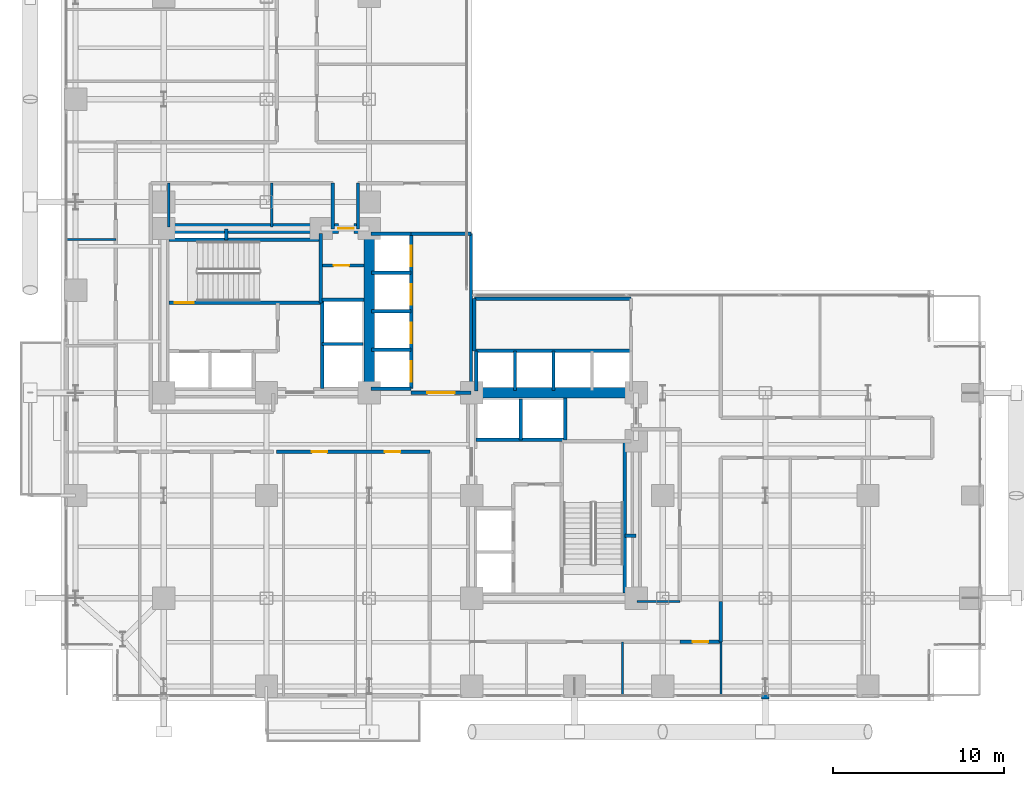
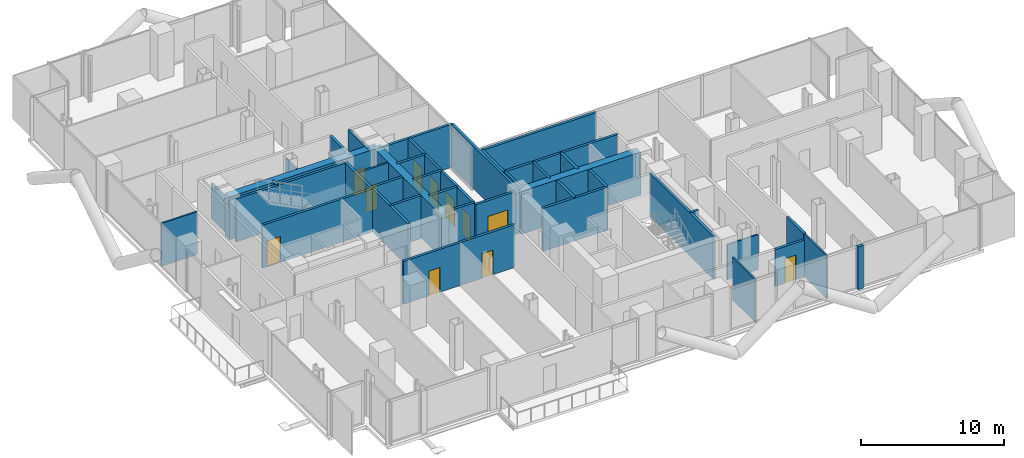
# One storey, part 21 of 25: 43 walls, 11 doors, 11 openings.
"""IFC4 building model written with IfcOpenShell, lengths in metres."""

from ifc_helpers import new_model, si_unit, direction, frame, frame_2d, origin, place, context, subcontext, project, spatial, rectangle, extrude, material, layer, layer_set, type_object, element, fill, save


model = new_model("IFC4")

# Units and contexts
model_context = context("Model", 3, precision=1e-05, world=origin(), true_north=direction((0.0, 1.0)))
body_context = subcontext(model_context, "Body", "Model", "MODEL_VIEW")
ifc_project = project(units=[si_unit("LENGTHUNIT", "METRE"), si_unit("AREAUNIT", "SQUARE_METRE"), si_unit("VOLUMEUNIT", "CUBIC_METRE"), si_unit("PLANEANGLEUNIT", "RADIAN"), si_unit("MASSUNIT", "GRAM", prefix="KILO"), si_unit("THERMODYNAMICTEMPERATUREUNIT", "KELVIN"), si_unit("POWERUNIT", "WATT")], contexts=[model_context])

# Site, building, storey
site_placement = place(None, origin())
site = spatial("IfcSite", under=ifc_project, at=site_placement, CompositionType="ELEMENT")
building_placement = place(site_placement, origin())
building = spatial("IfcBuilding", under=site, at=building_placement, Name="Svarakhadi Broadcast Tower", CompositionType="ELEMENT")
storey_placement = place(building_placement, frame((0.0, 0.0, 48.0)))
storey = spatial("IfcBuildingStorey", under=building, at=storey_placement, Name="L10", CompositionType="ELEMENT", Elevation=48.0)

# Wall
ifc_material_1 = material(Name="Double-Stud Acoustic Studio Partition STC-62", Category="gypsum")
ifc_layer_1 = layer(ifc_material_1, 0.199951171875)
ifc_layer_set_1 = layer_set([ifc_layer_1], Name="Double-Stud Acoustic Studio Partition STC-62")
wall_type_1 = type_object("IfcWallType", Name="Wall_Acoust_200", PredefinedType="PARTITIONING", material=ifc_layer_set_1)
wall_1_placement = place(storey_placement, frame((38.550048828125, 5.800048828125, 0.0), z_axis=(0.0, 0.0, 1.0), x_axis=(0.0, -1.0, 0.0)))
element("IfcWall", 1, at=wall_1_placement, inside=storey, type_object=wall_type_1, Name="L10 Broadcast Corridor Wall", PredefinedType="PARTITIONING", context=body_context, shape_type="SweptSolid", body=[
    extrude(rectangle(XDim=2.35009765625, YDim=0.199951171875, at=frame_2d((1.175048828125, 0.0))), origin(), (0.0, 0.0, 1.0), 3.64990234375),
])

# Wall, opening, door
wall_2_placement = place(storey_placement, frame((38.550048828125, 3.449951171875, 0.0), z_axis=(0.0, 0.0, 1.0), x_axis=(-1.0, 0.0, 0.0)))
wall_2 = element("IfcWall", 2, at=wall_2_placement, inside=storey, type_object=wall_type_1, Name="L10 Broadcast Corridor Wall", PredefinedType="PARTITIONING", context=body_context, shape_type="SweptSolid", body=[
    extrude(rectangle(XDim=2.400146484375, YDim=0.199951171875, at=frame_2d((1.2001953125, 0.0))), origin(), (0.0, 0.0, 1.0), 3.14208984375),
])
opening_1_placement = place(wall_2_placement, frame((0.75, 0.0, 0.0)))
opening_1 = element("IfcOpeningElement", 3, at=opening_1_placement, cuts=wall_2, Name="Opening D-14", PredefinedType="OPENING", context=body_context, shape_type="SweptSolid", body=[
    extrude(rectangle(XDim=0.89990234375, YDim=2.10009765625, at=frame_2d((0.449951171875, 1.050048828125))), frame((0.0, 0.10986328125, 0.0), z_axis=(0.0, -1.0, 0.0), x_axis=(1.0, 0.0, 0.0)), (0.0, 0.0, 1.0), 0.219970703125),
])
ifc_material_2 = material(Name="Solid-Core Teak Veneer Acoustic Timber Leaf", Category="wood")
door_type_1 = type_object("IfcDoorType", Name="Door_Int_D14", OperationType="SINGLE_SWING_LEFT", PredefinedType="DOOR", material=ifc_material_2)
door_1_placement = place(opening_1_placement, origin())
door_1 = element("IfcDoor", 4, at=door_1_placement, inside=storey, type_object=door_type_1, Name="L10 Broadcast Staff Refreshment Pantry Door", OperationType="SINGLE_SWING_LEFT", OverallHeight=2.10009765625, OverallWidth=0.89990234375, PredefinedType="DOOR", context=body_context, shape_type="SweptSolid", body=[
    extrude(rectangle(XDim=0.89990234375, YDim=2.10009765625, at=frame_2d((0.449951171875, 1.050048828125))), frame((0.0, 0.02490234375, 0.0), z_axis=(0.0, -1.0, 0.0), x_axis=(1.0, 0.0, 0.0)), (0.0, 0.0, 1.0), 0.050048828125),
])
fill(opening_1, door_1)

# Wall, openings, doors
wall_3_placement = place(storey_placement, frame((21.550048828125, 14.550048828125, 0.0), z_axis=(0.0, 0.0, 1.0), x_axis=(-1.0, 0.0, 0.0)))
wall_3 = element("IfcWall", 5, at=wall_3_placement, inside=storey, type_object=wall_type_1, Name="L10 Broadcast Corridor Wall", PredefinedType="PARTITIONING", context=body_context, shape_type="SweptSolid", body=[
    extrude(rectangle(XDim=8.949951171875, YDim=0.199951171875, at=frame_2d((4.47509765625, 0.0))), origin(), (0.0, 0.0, 1.0), 3.64990234375),
])
opening_2_placement = place(wall_3_placement, frame((6.0, 0.0, 0.0)))
opening_2 = element("IfcOpeningElement", 6, at=opening_2_placement, cuts=wall_3, Name="Opening D-15", PredefinedType="OPENING", context=body_context, shape_type="SweptSolid", body=[
    extrude(rectangle(XDim=0.89990234375, YDim=2.10009765625, at=frame_2d((0.449951171875, 1.050048828125))), frame((0.0, 0.10986328125, 0.0), z_axis=(0.0, -1.0, 0.0), x_axis=(1.0, 0.0, 0.0)), (0.0, 0.0, 1.0), 0.219970703125),
])
opening_3_placement = place(wall_3_placement, frame((1.72509765625, 0.0, 0.0)))
opening_3 = element("IfcOpeningElement", 7, at=opening_3_placement, cuts=wall_3, Name="Opening D-14", PredefinedType="OPENING", context=body_context, shape_type="SweptSolid", body=[
    extrude(rectangle(XDim=0.89990234375, YDim=2.10009765625, at=frame_2d((0.449951171875, 1.050048828125))), frame((0.0, 0.10986328125, 0.0), z_axis=(0.0, -1.0, 0.0), x_axis=(1.0, 0.0, 0.0)), (0.0, 0.0, 1.0), 0.219970703125),
])
door_2_placement = place(opening_3_placement, origin())
door_2 = element("IfcDoor", 8, at=door_2_placement, inside=storey, type_object=door_type_1, Name="L10 Voice Recording Room Door", OperationType="SINGLE_SWING_LEFT", OverallHeight=2.10009765625, OverallWidth=0.89990234375, PredefinedType="DOOR", context=body_context, shape_type="SweptSolid", body=[
    extrude(rectangle(XDim=0.89990234375, YDim=2.10009765625, at=frame_2d((0.449951171875, 1.050048828125))), frame((0.0, 0.02490234375, 0.0), z_axis=(0.0, -1.0, 0.0), x_axis=(1.0, 0.0, 0.0)), (0.0, 0.0, 1.0), 0.050048828125),
])
fill(opening_3, door_2)
door_type_2 = type_object("IfcDoorType", Name="Door_Int_D15", OperationType="SINGLE_SWING_RIGHT", PredefinedType="DOOR", material=ifc_material_2)
door_3_placement = place(opening_2_placement, origin())
door_3 = element("IfcDoor", 9, at=door_3_placement, inside=storey, type_object=door_type_2, Name="L10 VFX Grading Pod Door", OperationType="SINGLE_SWING_RIGHT", OverallHeight=2.10009765625, OverallWidth=0.89990234375, PredefinedType="DOOR", context=body_context, shape_type="SweptSolid", body=[
    extrude(rectangle(XDim=0.89990234375, YDim=2.10009765625, at=frame_2d((0.449951171875, 1.050048828125))), frame((0.0, 0.02490234375, 0.0), z_axis=(0.0, -1.0, 0.0), x_axis=(1.0, 0.0, 0.0)), (0.0, 0.0, 1.0), 0.050048828125),
])
fill(opening_2, door_3)

# Walls
for number, where, z_axis, x_axis, name in (
    (10, (17.35009765625, 30.25, 0.0), (0.0, 0.0, 1.0), (0.0, -1.0, 0.0), "L10 Broadcast Corridor Wall"),
    (11, (15.8798828125, 27.580078125, 0.0), (0.0, 0.0, 1.0), (0.0, 1.0, 0.0), "L10 Broadcast Corridor Wall"),
):
    element("IfcWall", number, at=place(storey_placement, frame(where, z_axis=z_axis, x_axis=x_axis)), inside=storey, type_object=wall_type_1, Name=name, PredefinedType="PARTITIONING", context=body_context, shape_type="SweptSolid", body=[
        extrude(rectangle(XDim=2.669921875, YDim=0.199951171875, at=frame_2d((1.3349609375, 0.0))), origin(), (0.0, 0.0, 1.0), 3.64990234375),
    ])
ifc_material_3 = material(Name="Concrete C40/50 (IS 456 M50)", Category="concrete")
ifc_layer_2 = layer(ifc_material_3, 0.239990234375)
ifc_layer_set_2 = layer_set([ifc_layer_2], Name="Concrete C40/50 (IS 456 M50)")
wall_type_2 = type_object("IfcWallType", Name="Wall_Ext_240", PredefinedType="SOLIDWALL", material=ifc_layer_set_2)
wall_4_placement = place(storey_placement, frame((41.364990234375, 0.239990234375, 0.0), z_axis=(0.0, 0.0, 1.0), x_axis=(-1.0, 0.0, 0.0)))
element("IfcWall", 12, at=wall_4_placement, inside=storey, type_object=wall_type_2, Name="L10 Perimeter Bronze Spandrel Closure Wall 05", PredefinedType="SOLIDWALL", context=body_context, shape_type="SweptSolid", body=[
    extrude(rectangle(XDim=0.429931640625, YDim=0.239990234375, at=frame_2d((0.21484375, 0.0))), origin(), (0.0, 0.0, 1.0), 3.64990234375),
])
ifc_layer_3 = layer(ifc_material_3, 0.199951171875)
ifc_layer_set_3 = layer_set([ifc_layer_3], Name="Concrete C40/50 (IS 456 M50)")
wall_type_3 = type_object("IfcWallType", Name="Wall_Fire_200", PredefinedType="SOLIDWALL", material=ifc_layer_set_3)
for number, where, z_axis, x_axis, name in (
    (13, (9.659912109375, 26.93994140625, 0.0), (0.0, 0.0, 1.0), (0.0, 1.0, 0.0), "L10 Wet Riser Shaft East Wall"),
    (14, (32.93994140625, 9.659912109375, 0.0), (0.0, 0.0, 1.0), (1.0, 0.0, 0.0), "L10 HV Busduct Riser Shaft North Wall"),
):
    element("IfcWall", number, at=place(storey_placement, frame(where, z_axis=z_axis, x_axis=x_axis)), inside=storey, type_object=wall_type_3, Name=name, PredefinedType="SOLIDWALL", context=body_context, shape_type="SweptSolid", body=[
        extrude(rectangle(XDim=0.64013671875, YDim=0.199951171875, at=frame_2d((0.320068359375, 0.0))), origin(), (0.0, 0.0, 1.0), 3.64990234375),
    ])
ifc_material_4 = material(Name="Fire-Rated Moisture-Resistant Gypsum Board Partition", Category="gypsum")
ifc_layer_4 = layer(ifc_material_4, 0.125)
ifc_layer_set_4 = layer_set([ifc_layer_4], Name="Fire-Rated Moisture-Resistant Gypsum Board Partition")
wall_type_4 = type_object("IfcWallType", Name="Wall_Part_125", PredefinedType="PARTITIONING", material=ifc_layer_set_4)
wall_5_placement = place(storey_placement, frame((0.300048828125, 26.949951171875, 0.0), z_axis=(0.0, 0.0, 1.0), x_axis=(1.0, 0.0, 0.0)))
element("IfcWall", 15, at=wall_5_placement, inside=storey, type_object=wall_type_4, Name="L10 Live Translation Studio Wall", PredefinedType="PARTITIONING", context=body_context, shape_type="SweptSolid", body=[
    extrude(rectangle(XDim=2.89990234375, YDim=0.125, at=frame_2d((1.449951171875, 0.0))), origin(), (0.0, 0.0, 1.0), 3.64990234375),
])
for number, where, z_axis, x_axis, name in (
    (16, (32.800048828125, 0.300048828125, 0.0), (0.0, 0.0, 1.0), (0.0, 1.0, 0.0), "L10 Media Legal Review Office Wall"),
    (17, (38.550048828125, 0.300048828125, 0.0), (0.0, 0.0, 1.0), (0.0, 1.0, 0.0), "L10 Broadcast Staff Refreshment Pantry Wall"),
):
    element("IfcWall", number, at=place(storey_placement, frame(where, z_axis=z_axis, x_axis=x_axis)), inside=storey, type_object=wall_type_4, Name=name, PredefinedType="PARTITIONING", context=body_context, shape_type="SweptSolid", body=[
        extrude(rectangle(XDim=3.14990234375, YDim=0.125, at=frame_2d((1.574951171875, 0.0))), origin(), (0.0, 0.0, 1.0), 3.64990234375),
    ])
wall_6_placement = place(storey_placement, frame((33.64990234375, 5.800048828125, 0.0), z_axis=(0.0, 0.0, 1.0), x_axis=(1.0, 0.0, 0.0)))
element("IfcWall", 18, at=wall_6_placement, inside=storey, type_object=wall_type_4, Name="L10 Live Feed Monitoring Studio Wall", PredefinedType="PARTITIONING", context=body_context, shape_type="SweptSolid", body=[
    extrude(rectangle(XDim=2.5, YDim=0.125, at=frame_2d((1.25, 0.0))), origin(), (0.0, 0.0, 1.0), 2.991943359375),
])

# Wall, opening, door
ifc_material_5 = material(Name="Autoclaved Aerated Concrete Blockwork 150 mm", Category="masonry")
ifc_layer_5 = layer(ifc_material_5, 0.14990234375)
ifc_layer_set_5 = layer_set([ifc_layer_5], Name="Autoclaved Aerated Concrete Blockwork 150 mm")
wall_type_5 = type_object("IfcWallType", Name="Wall_Part_150", PredefinedType="PARTITIONING", material=ifc_layer_set_5)
wall_7_placement = place(storey_placement, frame((15.280029296875, 25.43994140625, 0.0), z_axis=(0.0, 0.0, 1.0), x_axis=(1.0, 0.0, 0.0)))
wall_7 = element("IfcWall", 19, at=wall_7_placement, inside=storey, type_object=wall_type_5, Name="L10 West Core Service Split Wall", PredefinedType="PARTITIONING", context=body_context, shape_type="SweptSolid", body=[
    extrude(rectangle(XDim=2.419921875, YDim=0.14990234375, at=frame_2d((1.2099609375, 0.0))), origin(), (0.0, 0.0, 1.0), 3.64990234375),
])
opening_4_placement = place(wall_7_placement, frame((0.64990234375, 0.0, 0.0)))
opening_4 = element("IfcOpeningElement", 20, at=opening_4_placement, cuts=wall_7, Name="Opening D-04", PredefinedType="OPENING", context=body_context, shape_type="SweptSolid", body=[
    extrude(rectangle(XDim=0.89990234375, YDim=2.14990234375, at=frame_2d((0.449951171875, 1.074951171875))), frame((0.0, 0.0849609375, 0.0), z_axis=(0.0, -1.0, 0.0), x_axis=(1.0, 0.0, 0.0)), (0.0, 0.0, 1.0), 0.169921875),
])
ifc_material_6 = material(Name="Galvanised Powder-Coated Fire-Rated Steel Leaf", Category="steel")
door_type_3 = type_object("IfcDoorType", Name="Door_Fire_D04", OperationType="SINGLE_SWING_RIGHT", PredefinedType="DOOR", material=ifc_material_6)
door_4_placement = place(opening_4_placement, origin())
door_4 = element("IfcDoor", 21, at=door_4_placement, inside=storey, type_object=door_type_3, Name="L10 West Core Inner Store Door", OperationType="SINGLE_SWING_RIGHT", OverallHeight=2.14990234375, OverallWidth=0.89990234375, PredefinedType="DOOR", context=body_context, shape_type="SweptSolid", body=[
    extrude(rectangle(XDim=0.89990234375, YDim=2.14990234375, at=frame_2d((0.449951171875, 1.074951171875))), frame((0.0, 0.02490234375, 0.0), z_axis=(0.0, -1.0, 0.0), x_axis=(1.0, 0.0, 0.0)), (0.0, 0.0, 1.0), 0.050048828125),
])
fill(opening_4, door_4)

# Walls
for number, where, z_axis, x_axis, name in (
    (22, (6.300048828125, 27.679931640625, 0.0), (0.0, 0.0, 1.0), (0.0, 1.0, 0.0), "L10 Accessible Toilet WC Wall"),
    (23, (12.300048828125, 27.679931640625, 0.0), (0.0, 0.0, 1.0), (0.0, 1.0, 0.0), "L10 Accessible Toilet WC Wall"),
):
    element("IfcWall", number, at=place(storey_placement, frame(where, z_axis=z_axis, x_axis=x_axis)), inside=storey, type_object=wall_type_5, Name=name, PredefinedType="PARTITIONING", context=body_context, shape_type="SweptSolid", body=[
        extrude(rectangle(XDim=2.570068359375, YDim=0.14990234375, at=frame_2d((1.28515625, 0.0))), origin(), (0.0, 0.0, 1.0), 2.991943359375),
    ])

# Wall, opening, door
ifc_material_7 = material(Name="Concrete C50/60 (IS 456 M60)", Category="concrete")
ifc_layer_6 = layer(ifc_material_7, 0.199951171875)
ifc_layer_set_6 = layer_set([ifc_layer_6], Name="Concrete C50/60 (IS 456 M60)")
wall_type_6 = type_object("IfcWallType", Name="Wall_Shear_200", PredefinedType="SHEAR", material=ifc_layer_set_6)
wall_8_placement = place(storey_placement, frame((6.300048828125, 23.260009765625, 0.0), z_axis=(0.0, 0.0, 1.0), x_axis=(1.0, 0.0, 0.0)))
wall_8 = element("IfcWall", 24, at=wall_8_placement, inside=storey, type_object=wall_type_6, Name="L10 Stair ST-01 South RC Shaft Wall", PredefinedType="SHEAR", context=body_context, shape_type="SweptSolid", body=[
    extrude(rectangle(XDim=8.8798828125, YDim=0.199951171875, at=frame_2d((4.43994140625, 0.0))), origin(), (0.0, 0.0, 1.0), 3.64990234375),
])
opening_5_placement = place(wall_8_placement, frame((0.35009765625, 0.0, 0.0)))
opening_5 = element("IfcOpeningElement", 25, at=opening_5_placement, cuts=wall_8, Name="Opening D-01", PredefinedType="OPENING", context=body_context, shape_type="SweptSolid", body=[
    extrude(rectangle(XDim=1.10009765625, YDim=2.199951171875, at=frame_2d((0.550048828125, 1.10009765625))), frame((0.0, 0.10986328125, 0.0), z_axis=(0.0, -1.0, 0.0), x_axis=(1.0, 0.0, 0.0)), (0.0, 0.0, 1.0), 0.219970703125),
])
door_type_4 = type_object("IfcDoorType", Name="Door_Stair_D01", OperationType="SINGLE_SWING_LEFT", PredefinedType="DOOR", material=ifc_material_6)
door_5_placement = place(opening_5_placement, origin())
door_5 = element("IfcDoor", 26, at=door_5_placement, inside=storey, type_object=door_type_4, Name="L10 Protected Exit Stair ST-01 Fire Door", OperationType="SINGLE_SWING_LEFT", OverallHeight=2.199951171875, OverallWidth=1.10009765625, PredefinedType="DOOR", context=body_context, shape_type="SweptSolid", body=[
    extrude(rectangle(XDim=1.10009765625, YDim=2.199951171875, at=frame_2d((0.550048828125, 1.10009765625))), frame((0.0, 0.02490234375, 0.0), z_axis=(0.0, -1.0, 0.0), x_axis=(1.0, 0.0, 0.0)), (0.0, 0.0, 1.0), 0.050048828125),
])
fill(opening_5, door_5)

# Walls
wall_9_placement = place(storey_placement, frame((6.300048828125, 26.93994140625, 0.0), z_axis=(0.0, 0.0, 1.0), x_axis=(1.0, 0.0, 0.0)))
element("IfcWall", 27, at=wall_9_placement, inside=storey, type_object=wall_type_6, Name="L10 Stair ST-01 North RC Shaft Wall", PredefinedType="SHEAR", context=body_context, shape_type="SweptSolid", body=[
    extrude(rectangle(XDim=8.8798828125, YDim=0.199951171875, at=frame_2d((4.43994140625, 0.0))), origin(), (0.0, 0.0, 1.0), 3.64990234375),
])
wall_10_placement = place(storey_placement, frame((15.179931640625, 23.260009765625, 0.0), z_axis=(0.0, 0.0, 1.0), x_axis=(0.0, 1.0, 0.0)))
element("IfcWall", 28, at=wall_10_placement, inside=storey, type_object=wall_type_6, Name="L10 Stair ST-01 East RC Shaft Wall", PredefinedType="SHEAR", context=body_context, shape_type="SweptSolid", body=[
    extrude(rectangle(XDim=4.0400390625, YDim=0.199951171875, at=frame_2d((2.02001953125, 0.0))), origin(), (0.0, 0.0, 1.0), 3.64990234375),
])
wall_11_placement = place(storey_placement, frame((32.93994140625, 6.300048828125, 0.0), z_axis=(0.0, 0.0, 1.0), x_axis=(0.0, 1.0, 0.0)))
element("IfcWall", 29, at=wall_11_placement, inside=storey, type_object=wall_type_6, Name="L10 Stair ST-02 East RC Shaft Wall", PredefinedType="SHEAR", context=body_context, shape_type="SweptSolid", body=[
    extrude(rectangle(XDim=8.8798828125, YDim=0.199951171875, at=frame_2d((4.43994140625, 0.0))), origin(), (0.0, 0.0, 1.0), 3.64990234375),
])
wall_12_placement = place(storey_placement, frame((15.25, 18.25, 0.0), z_axis=(0.0, 0.0, 1.0), x_axis=(0.0, 1.0, 0.0)))
element("IfcWall", 30, at=wall_12_placement, inside=storey, type_object=wall_type_6, Name="L10 High-Rise Lift LF-13/14 West Shaft Wall", PredefinedType="SHEAR", context=body_context, shape_type="SweptSolid", body=[
    extrude(rectangle(XDim=5.199951171875, YDim=0.199951171875, at=frame_2d((2.60009765625, 0.0))), origin(), (0.0, 0.0, 1.0), 3.64990234375),
])
wall_13_placement = place(storey_placement, frame((15.25, 20.85009765625, 0.0), z_axis=(0.0, 0.0, 1.0), x_axis=(1.0, 0.0, 0.0)))
element("IfcWall", 31, at=wall_13_placement, inside=storey, type_object=wall_type_6, Name="L10 High-Rise Lift LF-13/14 Divider", PredefinedType="SHEAR", context=body_context, shape_type="SweptSolid", body=[
    extrude(rectangle(XDim=2.39990234375, YDim=0.199951171875, at=frame_2d((1.199951171875, 0.0))), origin(), (0.0, 0.0, 1.0), 3.64990234375),
])
wall_14_placement = place(storey_placement, frame((15.25, 23.449951171875, 0.0), z_axis=(0.0, 0.0, 1.0), x_axis=(1.0, 0.0, 0.0)))
element("IfcWall", 32, at=wall_14_placement, inside=storey, type_object=wall_type_6, Name="L10 High-Rise Lift LF-13/14 North Wall", PredefinedType="SHEAR", context=body_context, shape_type="SweptSolid", body=[
    extrude(rectangle(XDim=2.449951171875, YDim=0.199951171875, at=frame_2d((1.22509765625, 0.0))), origin(), (0.0, 0.0, 1.0), 3.64990234375),
])
wall_15_placement = place(storey_placement, frame((24.25, 15.25, 0.0), z_axis=(0.0, 0.0, 1.0), x_axis=(1.0, 0.0, 0.0)))
element("IfcWall", 33, at=wall_15_placement, inside=storey, type_object=wall_type_6, Name="L10 High-Rise Lift LF-15/16 South Shaft Wall", PredefinedType="SHEAR", context=body_context, shape_type="SweptSolid", body=[
    extrude(rectangle(XDim=5.199951171875, YDim=0.199951171875, at=frame_2d((2.60009765625, 0.0))), origin(), (0.0, 0.0, 1.0), 3.64990234375),
])
wall_16_placement = place(storey_placement, frame((26.85009765625, 15.25, 0.0), z_axis=(0.0, 0.0, 1.0), x_axis=(0.0, 1.0, 0.0)))
element("IfcWall", 34, at=wall_16_placement, inside=storey, type_object=wall_type_6, Name="L10 High-Rise Lift LF-15/16 Divider", PredefinedType="SHEAR", context=body_context, shape_type="SweptSolid", body=[
    extrude(rectangle(XDim=2.39990234375, YDim=0.199951171875, at=frame_2d((1.199951171875, 0.0))), origin(), (0.0, 0.0, 1.0), 3.64990234375),
])
wall_17_placement = place(storey_placement, frame((29.449951171875, 15.25, 0.0), z_axis=(0.0, 0.0, 1.0), x_axis=(0.0, 1.0, 0.0)))
element("IfcWall", 35, at=wall_17_placement, inside=storey, type_object=wall_type_6, Name="L10 High-Rise Lift LF-15/16 East Wall", PredefinedType="SHEAR", context=body_context, shape_type="SweptSolid", body=[
    extrude(rectangle(XDim=2.449951171875, YDim=0.199951171875, at=frame_2d((1.22509765625, 0.0))), origin(), (0.0, 0.0, 1.0), 3.64990234375),
])
for number, where, z_axis, x_axis, name in (
    (36, (18.10009765625, 27.300048828125, 0.0), (0.0, 0.0, 1.0), (1.0, 0.0, 0.0), "L10 Bank A North Shaft Wall"),
    (37, (18.10009765625, 18.25, 0.0), (0.0, 0.0, 1.0), (1.0, 0.0, 0.0), "L10 Bank A South Shaft Wall"),
):
    element("IfcWall", number, at=place(storey_placement, frame(where, z_axis=z_axis, x_axis=x_axis)), inside=storey, type_object=wall_type_6, Name=name, PredefinedType="SHEAR", context=body_context, shape_type="SweptSolid", body=[
        extrude(rectangle(XDim=2.349853515625, YDim=0.199951171875, at=frame_2d((1.1748046875, 0.0))), origin(), (0.0, 0.0, 1.0), 3.64990234375),
    ])

# Wall, openings, doors
wall_18_placement = place(storey_placement, frame((20.449951171875, 18.25, 0.0), z_axis=(0.0, 0.0, 1.0), x_axis=(0.0, 1.0, 0.0)))
wall_18 = element("IfcWall", 38, at=wall_18_placement, inside=storey, type_object=wall_type_6, Name="L10 Bank A East Landing Wall", PredefinedType="SHEAR", context=body_context, shape_type="SweptSolid", body=[
    extrude(rectangle(XDim=9.050048828125, YDim=0.199951171875, at=frame_2d((4.52490234375, 0.0))), origin(), (0.0, 0.0, 1.0), 3.64990234375),
])
opening_6_placement = place(wall_18_placement, frame((0.39990234375, 0.0, 0.0)))
opening_6 = element("IfcOpeningElement", 39, at=opening_6_placement, cuts=wall_18, Name="Opening LD-02", PredefinedType="OPENING", context=body_context, shape_type="SweptSolid", body=[
    extrude(rectangle(XDim=1.199951171875, YDim=2.199951171875, at=frame_2d((0.60009765625, 1.10009765625))), frame((0.0, 0.10986328125, 0.0), z_axis=(0.0, -1.0, 0.0), x_axis=(1.0, 0.0, 0.0)), (0.0, 0.0, 1.0), 0.219970703125),
])
opening_7_placement = place(wall_18_placement, frame((2.64990234375, 0.0, 0.0)))
opening_7 = element("IfcOpeningElement", 40, at=opening_7_placement, cuts=wall_18, Name="Opening LD-02", PredefinedType="OPENING", context=body_context, shape_type="SweptSolid", body=[
    extrude(rectangle(XDim=1.199951171875, YDim=2.199951171875, at=frame_2d((0.60009765625, 1.10009765625))), frame((0.0, 0.10986328125, 0.0), z_axis=(0.0, -1.0, 0.0), x_axis=(1.0, 0.0, 0.0)), (0.0, 0.0, 1.0), 0.219970703125),
])
opening_8_placement = place(wall_18_placement, frame((4.89990234375, 0.0, 0.0)))
opening_8 = element("IfcOpeningElement", 41, at=opening_8_placement, cuts=wall_18, Name="Opening LD-02", PredefinedType="OPENING", context=body_context, shape_type="SweptSolid", body=[
    extrude(rectangle(XDim=1.199951171875, YDim=2.199951171875, at=frame_2d((0.60009765625, 1.10009765625))), frame((0.0, 0.10986328125, 0.0), z_axis=(0.0, -1.0, 0.0), x_axis=(1.0, 0.0, 0.0)), (0.0, 0.0, 1.0), 0.219970703125),
])
opening_9_placement = place(wall_18_placement, frame((7.14990234375, 0.0, 0.0)))
opening_9 = element("IfcOpeningElement", 42, at=opening_9_placement, cuts=wall_18, Name="Opening LD-02", PredefinedType="OPENING", context=body_context, shape_type="SweptSolid", body=[
    extrude(rectangle(XDim=1.199951171875, YDim=2.199951171875, at=frame_2d((0.60009765625, 1.10009765625))), frame((0.0, 0.10986328125, 0.0), z_axis=(0.0, -1.0, 0.0), x_axis=(1.0, 0.0, 0.0)), (0.0, 0.0, 1.0), 0.219970703125),
])
door_type_5 = type_object("IfcDoorType", Name="Door_Lift_LD02", OperationType="SLIDING_TO_RIGHT", PredefinedType="DOOR", material=ifc_material_6)
door_6_placement = place(opening_6_placement, origin())
door_6 = element("IfcDoor", 43, at=door_6_placement, inside=storey, type_object=door_type_5, Name="L10 Low-Rise Lift LF-05 Landing Door", OperationType="SLIDING_TO_RIGHT", OverallHeight=2.199951171875, OverallWidth=1.199951171875, PredefinedType="DOOR", context=body_context, shape_type="SweptSolid", body=[
    extrude(rectangle(XDim=1.199951171875, YDim=2.199951171875, at=frame_2d((0.60009765625, 1.10009765625))), frame((0.0, 0.02490234375, 0.0), z_axis=(0.0, -1.0, 0.0), x_axis=(1.0, 0.0, 0.0)), (0.0, 0.0, 1.0), 0.050048828125),
])
fill(opening_6, door_6)
door_7_placement = place(opening_7_placement, origin())
door_7 = element("IfcDoor", 44, at=door_7_placement, inside=storey, type_object=door_type_5, Name="L10 Low-Rise Lift LF-06 Landing Door", OperationType="SLIDING_TO_RIGHT", OverallHeight=2.199951171875, OverallWidth=1.199951171875, PredefinedType="DOOR", context=body_context, shape_type="SweptSolid", body=[
    extrude(rectangle(XDim=1.199951171875, YDim=2.199951171875, at=frame_2d((0.60009765625, 1.10009765625))), frame((0.0, 0.02490234375, 0.0), z_axis=(0.0, -1.0, 0.0), x_axis=(1.0, 0.0, 0.0)), (0.0, 0.0, 1.0), 0.050048828125),
])
fill(opening_7, door_7)
door_8_placement = place(opening_8_placement, origin())
door_8 = element("IfcDoor", 45, at=door_8_placement, inside=storey, type_object=door_type_5, Name="L10 Low-Rise Lift LF-07 Landing Door", OperationType="SLIDING_TO_RIGHT", OverallHeight=2.199951171875, OverallWidth=1.199951171875, PredefinedType="DOOR", context=body_context, shape_type="SweptSolid", body=[
    extrude(rectangle(XDim=1.199951171875, YDim=2.199951171875, at=frame_2d((0.60009765625, 1.10009765625))), frame((0.0, 0.02490234375, 0.0), z_axis=(0.0, -1.0, 0.0), x_axis=(1.0, 0.0, 0.0)), (0.0, 0.0, 1.0), 0.050048828125),
])
fill(opening_8, door_8)
door_9_placement = place(opening_9_placement, origin())
door_9 = element("IfcDoor", 46, at=door_9_placement, inside=storey, type_object=door_type_5, Name="L10 Low-Rise Lift LF-08 Landing Door", OperationType="SLIDING_TO_RIGHT", OverallHeight=2.199951171875, OverallWidth=1.199951171875, PredefinedType="DOOR", context=body_context, shape_type="SweptSolid", body=[
    extrude(rectangle(XDim=1.199951171875, YDim=2.199951171875, at=frame_2d((0.60009765625, 1.10009765625))), frame((0.0, 0.02490234375, 0.0), z_axis=(0.0, -1.0, 0.0), x_axis=(1.0, 0.0, 0.0)), (0.0, 0.0, 1.0), 0.050048828125),
])
fill(opening_9, door_9)

# Walls
for number, where, z_axis, x_axis, name in (
    (47, (18.14990234375, 20.52001953125, 0.0), (0.0, 0.0, 1.0), (1.0, 0.0, 0.0), "L10 Bank A Divider"),
    (48, (18.14990234375, 22.77001953125, 0.0), (0.0, 0.0, 1.0), (1.0, 0.0, 0.0), "L10 Bank A Divider"),
    (49, (18.14990234375, 25.02001953125, 0.0), (0.0, 0.0, 1.0), (1.0, 0.0, 0.0), "L10 Bank A Divider"),
):
    element("IfcWall", number, at=place(storey_placement, frame(where, z_axis=z_axis, x_axis=x_axis)), inside=storey, type_object=wall_type_6, Name=name, PredefinedType="SHEAR", context=body_context, shape_type="SweptSolid", body=[
        extrude(rectangle(XDim=2.300048828125, YDim=0.199951171875, at=frame_2d((1.14990234375, 0.0))), origin(), (0.0, 0.0, 1.0), 3.64990234375),
    ])

# Wall, opening, door
wall_19_placement = place(storey_placement, frame((20.449951171875, 18.0, 0.0), z_axis=(0.0, 0.0, 1.0), x_axis=(1.0, 0.0, 0.0)))
wall_19 = element("IfcWall", 50, at=wall_19_placement, inside=storey, type_object=wall_type_6, Name="L10 Bank A Lift Hall South Wall", PredefinedType="SHEAR", context=body_context, shape_type="SweptSolid", body=[
    extrude(rectangle(XDim=3.5, YDim=0.199951171875, at=frame_2d((1.75, 0.0))), origin(), (0.0, 0.0, 1.0), 3.64990234375),
])
opening_10_placement = place(wall_19_placement, frame((0.949951171875, 0.0, 0.0)))
opening_10 = element("IfcOpeningElement", 51, at=opening_10_placement, cuts=wall_19, Name="Opening D-05", PredefinedType="OPENING", context=body_context, shape_type="SweptSolid", body=[
    extrude(rectangle(XDim=1.60009765625, YDim=2.300048828125, at=frame_2d((0.800048828125, 1.14990234375))), frame((0.0, 0.10986328125, 0.0), z_axis=(0.0, -1.0, 0.0), x_axis=(1.0, 0.0, 0.0)), (0.0, 0.0, 1.0), 0.219970703125),
])
ifc_material_8 = material(Name="Anodised Bronze Aluminium AA 6063-T6", Category="aluminium")
door_type_6 = type_object("IfcDoorType", Name="Door_Lobby_D05", OperationType="DOUBLE_DOOR_SLIDING", PredefinedType="DOOR", material=ifc_material_8)
door_10_placement = place(opening_10_placement, origin())
door_10 = element("IfcDoor", 52, at=door_10_placement, inside=storey, type_object=door_type_6, Name="L10 Low-Rise Lift Hall Corridor Door", OperationType="DOUBLE_DOOR_SLIDING", OverallHeight=2.300048828125, OverallWidth=1.60009765625, PredefinedType="DOOR", context=body_context, shape_type="SweptSolid", body=[
    extrude(rectangle(XDim=1.60009765625, YDim=2.300048828125, at=frame_2d((0.800048828125, 1.14990234375))), frame((0.0, 0.02490234375, 0.0), z_axis=(0.0, -1.0, 0.0), x_axis=(1.0, 0.0, 0.0)), (0.0, 0.0, 1.0), 0.050048828125),
])
fill(opening_10, door_10)

# Walls
wall_20_placement = place(storey_placement, frame((20.449951171875, 27.300048828125, 0.0), z_axis=(0.0, 0.0, 1.0), x_axis=(1.0, 0.0, 0.0)))
element("IfcWall", 53, at=wall_20_placement, inside=storey, type_object=wall_type_6, Name="L10 Bank A Lift Hall North Wall", PredefinedType="SHEAR", context=body_context, shape_type="SweptSolid", body=[
    extrude(rectangle(XDim=3.5, YDim=0.199951171875, at=frame_2d((1.75, 0.0))), origin(), (0.0, 0.0, 1.0), 3.64990234375),
])
wall_21_placement = place(storey_placement, frame((23.949951171875, 18.0, 0.0), z_axis=(0.0, 0.0, 1.0), x_axis=(0.0, 1.0, 0.0)))
element("IfcWall", 54, at=wall_21_placement, inside=storey, type_object=wall_type_6, Name="L10 Bank A Lift Hall East Wall", PredefinedType="SHEAR", context=body_context, shape_type="SweptSolid", body=[
    extrude(rectangle(XDim=9.300048828125, YDim=0.199951171875, at=frame_2d((4.64990234375, 0.0))), origin(), (0.0, 0.0, 1.0), 3.64990234375),
])
wall_22_placement = place(storey_placement, frame((24.25, 18.10009765625, 0.0), z_axis=(0.0, 0.0, 1.0), x_axis=(0.0, 1.0, 0.0)))
element("IfcWall", 55, at=wall_22_placement, inside=storey, type_object=wall_type_6, Name="L10 Bank B West Shaft Wall", PredefinedType="SHEAR", context=body_context, shape_type="SweptSolid", body=[
    extrude(rectangle(XDim=2.349853515625, YDim=0.199951171875, at=frame_2d((1.1748046875, 0.0))), origin(), (0.0, 0.0, 1.0), 3.64990234375),
])
wall_23_placement = place(storey_placement, frame((24.25, 20.449951171875, 0.0), z_axis=(0.0, 0.0, 1.0), x_axis=(1.0, 0.0, 0.0)))
element("IfcWall", 56, at=wall_23_placement, inside=storey, type_object=wall_type_6, Name="L10 Bank B North Landing Wall", PredefinedType="SHEAR", context=body_context, shape_type="SweptSolid", body=[
    extrude(rectangle(XDim=9.050048828125, YDim=0.199951171875, at=frame_2d((4.52490234375, 0.0))), origin(), (0.0, 0.0, 1.0), 3.64990234375),
])
for number, where, z_axis, x_axis, name in (
    (57, (26.52001953125, 18.14990234375, 0.0), (0.0, 0.0, 1.0), (0.0, 1.0, 0.0), "L10 Bank B Divider"),
    (58, (28.77001953125, 18.14990234375, 0.0), (0.0, 0.0, 1.0), (0.0, 1.0, 0.0), "L10 Bank B Divider"),
):
    element("IfcWall", number, at=place(storey_placement, frame(where, z_axis=z_axis, x_axis=x_axis)), inside=storey, type_object=wall_type_6, Name=name, PredefinedType="SHEAR", context=body_context, shape_type="SweptSolid", body=[
        extrude(rectangle(XDim=2.300048828125, YDim=0.199951171875, at=frame_2d((1.14990234375, 0.0))), origin(), (0.0, 0.0, 1.0), 3.64990234375),
    ])
wall_24_placement = place(storey_placement, frame((24.14990234375, 23.5, 0.0), z_axis=(0.0, 0.0, 1.0), x_axis=(1.0, 0.0, 0.0)))
element("IfcWall", 59, at=wall_24_placement, inside=storey, type_object=wall_type_6, Name="L10 Bank B Lift Hall North Wall", PredefinedType="SHEAR", context=body_context, shape_type="SweptSolid", body=[
    extrude(rectangle(XDim=9.150146484375, YDim=0.199951171875, at=frame_2d((4.5751953125, 0.0))), origin(), (0.0, 0.0, 1.0), 3.64990234375),
])
wall_25_placement = place(storey_placement, frame((24.14990234375, 20.449951171875, 0.0), z_axis=(0.0, 0.0, 1.0), x_axis=(0.0, 1.0, 0.0)))
element("IfcWall", 60, at=wall_25_placement, inside=storey, type_object=wall_type_6, Name="L10 Bank B Lift Hall West Wall", PredefinedType="SHEAR", context=body_context, shape_type="SweptSolid", body=[
    extrude(rectangle(XDim=3.050048828125, YDim=0.199951171875, at=frame_2d((1.52490234375, 0.0))), origin(), (0.0, 0.0, 1.0), 3.64990234375),
])

# Wall, opening, door
ifc_material_9 = material(Name="Concrete C60/75 (IS 456 M70)", Category="concrete")
ifc_layer_7 = layer(ifc_material_9, 0.60009765625)
ifc_layer_set_7 = layer_set([ifc_layer_7], Name="Concrete C60/75 (IS 456 M70)")
wall_type_7 = type_object("IfcWallType", Name="Wall_Shear_600", PredefinedType="SHEAR", material=ifc_layer_set_7)
wall_26_placement = place(storey_placement, frame((6.0, 27.60009765625, 0.0), z_axis=(0.0, 0.0, 1.0), x_axis=(1.0, 0.0, 0.0)))
wall_26 = element("IfcWall", 61, at=wall_26_placement, inside=storey, type_object=wall_type_7, Name="L10 West Core North Shear Wall", PredefinedType="SHEAR", context=body_context, shape_type="SweptSolid", body=[
    extrude(rectangle(XDim=12.0, YDim=0.60009765625, at=frame_2d((6.0, 0.0))), origin(), (0.0, 0.0, 1.0), 3.64990234375),
])
opening_11_placement = place(wall_26_placement, frame((10.199951171875, 0.0, 0.0)))
opening_11 = element("IfcOpeningElement", 62, at=opening_11_placement, cuts=wall_26, Name="Opening D-03", PredefinedType="OPENING", context=body_context, shape_type="SweptSolid", body=[
    extrude(rectangle(XDim=0.89990234375, YDim=2.14990234375, at=frame_2d((0.449951171875, 1.074951171875))), frame((0.0, 0.31005859375, 0.0), z_axis=(0.0, -1.0, 0.0), x_axis=(1.0, 0.0, 0.0)), (0.0, 0.0, 1.0), 0.6201171875),
])
door_type_7 = type_object("IfcDoorType", Name="Door_Fire_D03", OperationType="SINGLE_SWING_LEFT", PredefinedType="DOOR", material=ifc_material_6)
door_11_placement = place(opening_11_placement, origin())
door_11 = element("IfcDoor", 63, at=door_11_placement, inside=storey, type_object=door_type_7, Name="L10 West Core Outer Store Door", OperationType="SINGLE_SWING_LEFT", OverallHeight=2.14990234375, OverallWidth=0.89990234375, PredefinedType="DOOR", context=body_context, shape_type="SweptSolid", body=[
    extrude(rectangle(XDim=0.89990234375, YDim=2.14990234375, at=frame_2d((0.449951171875, 1.074951171875))), frame((0.0, 0.02490234375, 0.0), z_axis=(0.0, -1.0, 0.0), x_axis=(1.0, 0.0, 0.0)), (0.0, 0.0, 1.0), 0.050048828125),
])
fill(opening_11, door_11)

# Walls
for number, where, z_axis, x_axis, name in (
    (64, (18.0, 18.0, 0.0), (0.0, 0.0, 1.0), (0.0, 1.0, 0.0), "L10 West Core East Shear Wall"),
    (65, (24.0, 18.0, 0.0), (0.0, 0.0, 1.0), (1.0, 0.0, 0.0), "L10 East Core North Shear Wall"),
):
    element("IfcWall", number, at=place(storey_placement, frame(where, z_axis=z_axis, x_axis=x_axis)), inside=storey, type_object=wall_type_7, Name=name, PredefinedType="SHEAR", context=body_context, shape_type="SweptSolid", body=[
        extrude(rectangle(XDim=9.60009765625, YDim=0.60009765625, at=frame_2d((4.800048828125, 0.0))), origin(), (0.0, 0.0, 1.0), 3.64990234375),
    ])

save(model, "model.ifc")
